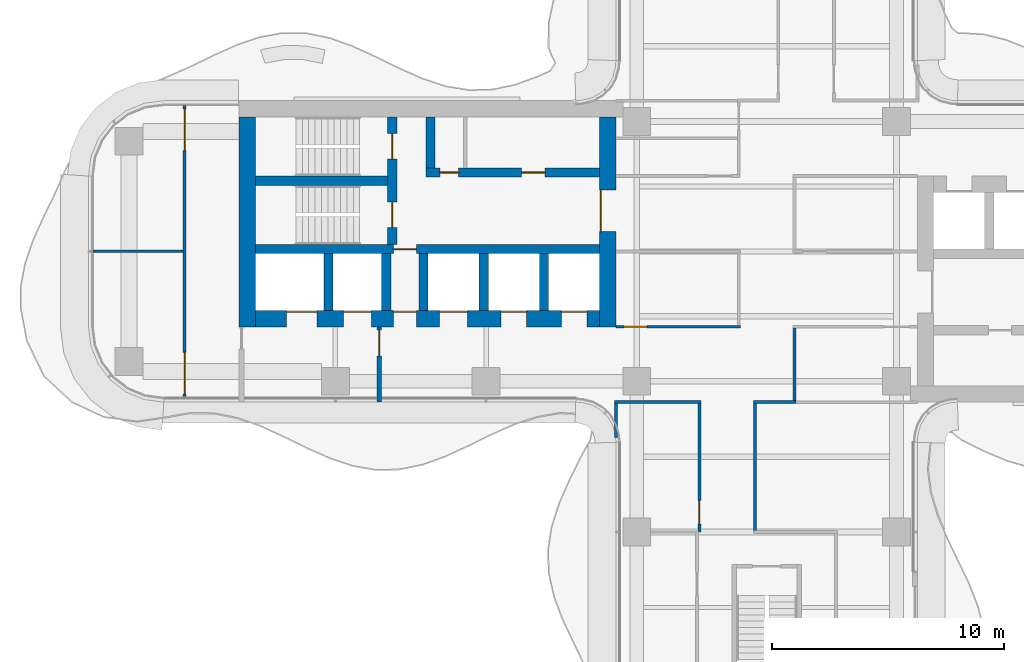
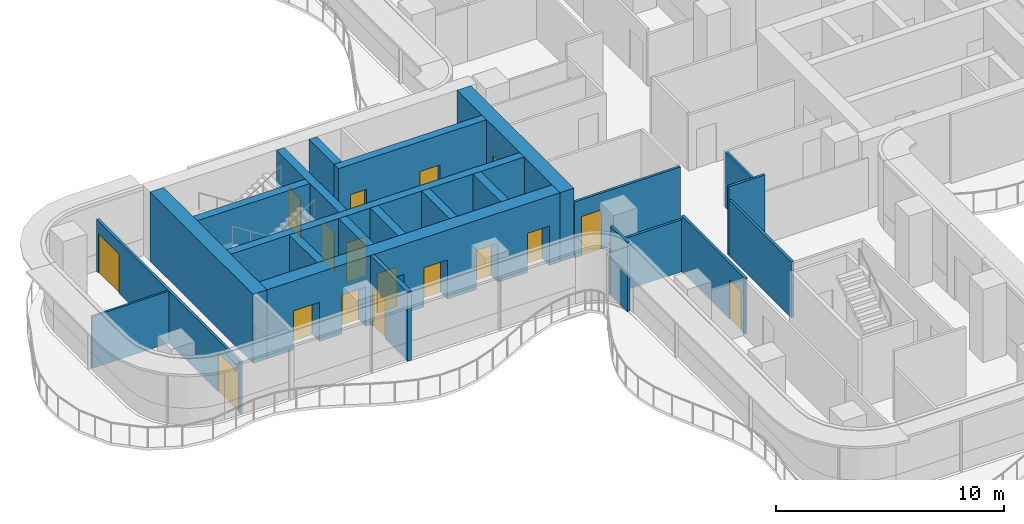
# One storey, part 12 of 17: 23 walls, 17 doors, 17 openings.
"""IFC4 building model written with IfcOpenShell, lengths in metres."""

from ifc_helpers import new_model, si_unit, direction, frame, frame_2d, origin, place, context, subcontext, project, spatial, rectangle, extrude, source, transform, mapped, material, layer, layer_set, type_object, element, fill, save


model = new_model("IFC4")

# Units and contexts
model_context = context("Model", 3, precision=1e-05, world=origin(), true_north=direction((0.0, 1.0)))
body_context = subcontext(model_context, "Body", "Model", "MODEL_VIEW")
ifc_project = project(units=[si_unit("LENGTHUNIT", "METRE"), si_unit("AREAUNIT", "SQUARE_METRE"), si_unit("VOLUMEUNIT", "CUBIC_METRE"), si_unit("PLANEANGLEUNIT", "RADIAN"), si_unit("MASSUNIT", "GRAM", prefix="KILO")], contexts=[model_context])

# Site, building, storey
site_placement = place(None, origin())
site = spatial("IfcSite", under=ifc_project, at=site_placement, CompositionType="ELEMENT")
building_placement = place(site_placement, origin())
building = spatial("IfcBuilding", under=site, at=building_placement, Name="Trellis Farm Tower", CompositionType="ELEMENT")
storey_placement = place(building_placement, frame((0.0, 0.0, 165.89990234375)))
storey = spatial("IfcBuildingStorey", under=building, at=storey_placement, Name="L35", CompositionType="ELEMENT", Elevation=165.89990234375)

# Wall, opening, door
ifc_material_1 = material(Name="Concrete C70/85", Category="concrete")
ifc_layer_1 = layer(ifc_material_1, 0.699951171875)
ifc_layer_set_1 = layer_set([ifc_layer_1], Name="CORE OUTER WALL 700 CONCRETE C70/85")
wall_type_1 = type_object("IfcWallType", Name="CORE OUTER WALL 700 CONCRETE C70/85", PredefinedType="SHEAR", material=ifc_layer_set_1)
shared_shape_1 = source(origin(), body_context, "Body", "SweptSolid", [
    extrude(rectangle(XDim=9.050048828125, YDim=0.699951171875, at=frame_2d((4.52490234375, 0.0))), origin(), (0.0, 0.0, 1.0), 3.7001953125),
])
wall_1_placement = place(storey_placement, frame((-6.85009765625, 5.800048828125, 0.0), z_axis=(0.0, 0.0, 1.0), x_axis=(0.0, -1.0, 0.0)))
wall_1 = element("IfcWall", 1, at=wall_1_placement, inside=storey, type_object=wall_type_1, Name="Core wall", PredefinedType="SHEAR", context=body_context, shape_type="MappedRepresentation", body=[
    mapped(shared_shape_1, transform((0.0, 0.0, 0.0))),
])
shared_shape_2 = source(origin(), body_context, "Body", "SweptSolid", [
    extrude(rectangle(XDim=1.800048828125, YDim=2.10009765625, at=frame_2d((0.89990234375, 1.050048828125))), frame((0.0, 0.360107421875, 0.0), z_axis=(0.0, -1.0, 0.0), x_axis=(1.0, 0.0, 0.0)), (0.0, 0.0, 1.0), 0.72021484375),
])
opening_1_placement = place(wall_1_placement, frame((3.14990234375, 0.0, 0.0)))
opening_1 = element("IfcOpeningElement", 2, at=opening_1_placement, cuts=wall_1, Name="Opening DC87", PredefinedType="OPENING", context=body_context, shape_type="MappedRepresentation", body=[
    mapped(shared_shape_2, transform((0.0, 0.0, 0.0))),
])
ifc_material_2 = material(Name="Steel", Category="steel")
door_type_1 = type_object("IfcDoorType", Name="CORE FIRE DOOR DOUBLE 1800 X 2100", OperationType="DOUBLE_DOOR_SINGLE_SWING", PredefinedType="DOOR", material=ifc_material_2)
shared_shape_3 = source(origin(), body_context, "Body", "SweptSolid", [
    extrude(rectangle(XDim=1.800048828125, YDim=2.10009765625, at=frame_2d((0.89990234375, 1.050048828125))), frame((0.0, -0.27490234375, 0.0), z_axis=(0.0, -1.0, 0.0), x_axis=(1.0, 0.0, 0.0)), (0.0, 0.0, 1.0), 0.050048828125),
])
door_1_placement = place(opening_1_placement, origin())
door_1 = element("IfcDoor", 3, at=door_1_placement, inside=storey, type_object=door_type_1, Name="Core door", OperationType="DOUBLE_DOOR_SINGLE_SWING", OverallHeight=2.10009765625, OverallWidth=1.800048828125, PredefinedType="DOOR", context=body_context, shape_type="MappedRepresentation", body=[
    mapped(shared_shape_3, transform((0.0, 0.0, 0.0))),
])
fill(opening_1, door_1)

# Walls
wall_2_placement = place(storey_placement, frame((-22.39990234375, 5.800048828125, 0.0), z_axis=(0.0, 0.0, 1.0), x_axis=(0.0, -1.0, 0.0)))
element("IfcWall", 4, at=wall_2_placement, inside=storey, type_object=wall_type_1, Name="Core wall", PredefinedType="SHEAR", context=body_context, shape_type="MappedRepresentation", body=[
    mapped(shared_shape_1, transform((0.0, 0.0, 0.0))),
])
ifc_layer_2 = layer(ifc_material_1, 0.39990234375)
ifc_layer_set_2 = layer_set([ifc_layer_2], Name="CORE INNER WALL 400 CONCRETE C70/85")
wall_type_2 = type_object("IfcWallType", Name="CORE INNER WALL 400 CONCRETE C70/85", PredefinedType="SHEAR", material=ifc_layer_set_2)
shared_shape_4 = source(origin(), body_context, "Body", "SweptSolid", [
    extrude(rectangle(XDim=2.449951171875, YDim=0.39990234375, at=frame_2d((1.22509765625, 0.0))), origin(), (0.0, 0.0, 1.0), 3.7001953125),
])
for number, where, z_axis, x_axis, name in (
    (5, (-9.60009765625, -0.10009765625, 0.0), (0.0, 0.0, 1.0), (0.0, -1.0, 0.0), "Core wall"),
    (6, (-12.199951171875, -0.10009765625, 0.0), (0.0, 0.0, 1.0), (0.0, -1.0, 0.0), "Core wall"),
    (7, (-14.800048828125, -0.10009765625, 0.0), (0.0, 0.0, 1.0), (0.0, -1.0, 0.0), "Core wall"),
    (8, (-16.39990234375, -0.10009765625, 0.0), (0.0, 0.0, 1.0), (0.0, -1.0, 0.0), "Core wall"),
    (9, (-18.89990234375, -0.10009765625, 0.0), (0.0, 0.0, 1.0), (0.0, -1.0, 0.0), "Core wall"),
):
    element("IfcWall", number, at=place(storey_placement, frame(where, z_axis=z_axis, x_axis=x_axis)), inside=storey, type_object=wall_type_2, Name=name, PredefinedType="SHEAR", context=body_context, shape_type="MappedRepresentation", body=[
        mapped(shared_shape_4, transform((0.0, 0.0, 0.0))),
    ])

# Wall, opening, door
ifc_material_3 = material(Name="Masonry blockwork", Category="masonry")
ifc_layer_3 = layer(ifc_material_3, 0.199951171875)
ifc_layer_set_3 = layer_set([ifc_layer_3], Name="FIRE LOBBY PARTITION 200 BLOCKWORK")
wall_type_3 = type_object("IfcWallType", Name="FIRE LOBBY PARTITION 200 BLOCKWORK", PredefinedType="PARTITIONING", material=ifc_layer_set_3)
shared_shape_5 = source(origin(), body_context, "Body", "SweptSolid", [
    extrude(rectangle(XDim=3.25, YDim=0.199951171875, at=frame_2d((1.625, 0.0))), origin(), (0.0, 0.0, 1.0), 3.7001953125),
])
wall_3_placement = place(storey_placement, frame((-16.699951171875, -3.25, 0.0), z_axis=(0.0, 0.0, 1.0), x_axis=(0.0, -1.0, 0.0)))
wall_3 = element("IfcWall", 10, at=wall_3_placement, inside=storey, type_object=wall_type_3, Name="Fire-fighting lobby partition", PredefinedType="PARTITIONING", context=body_context, shape_type="MappedRepresentation", body=[
    mapped(shared_shape_5, transform((0.0, 0.0, 0.0))),
])
shared_shape_6 = source(origin(), body_context, "Body", "SweptSolid", [
    extrude(rectangle(XDim=1.10009765625, YDim=2.10009765625, at=frame_2d((0.550048828125, 1.050048828125))), frame((0.0, 0.110107421875, 0.0), z_axis=(0.0, -1.0, 0.0), x_axis=(1.0, 0.0, 0.0)), (0.0, 0.0, 1.0), 0.22021484375),
])
opening_2_placement = place(wall_3_placement, frame((0.14990234375, 0.0, 0.0)))
opening_2 = element("IfcOpeningElement", 11, at=opening_2_placement, cuts=wall_3, Name="Opening DC93", PredefinedType="OPENING", context=body_context, shape_type="MappedRepresentation", body=[
    mapped(shared_shape_6, transform((0.0, 0.0, 0.0))),
])
door_type_2 = type_object("IfcDoorType", Name="CORE FIRE DOOR 1100 X 2100", OperationType="NOTDEFINED", PredefinedType="DOOR", material=ifc_material_2)
shared_shape_7 = source(origin(), body_context, "Body", "SweptSolid", [
    extrude(rectangle(XDim=1.10009765625, YDim=2.10009765625, at=frame_2d((0.550048828125, 1.050048828125))), frame((0.0, 0.02490234375, 0.0), z_axis=(0.0, -1.0, 0.0), x_axis=(1.0, 0.0, 0.0)), (0.0, 0.0, 1.0), 0.050048828125),
])
door_2_placement = place(opening_2_placement, origin())
door_2 = element("IfcDoor", 12, at=door_2_placement, inside=storey, type_object=door_type_2, Name="Core door", OperationType="SINGLE_SWING_RIGHT", OverallHeight=2.10009765625, OverallWidth=1.10009765625, PredefinedType="DOOR", context=body_context, shape_type="MappedRepresentation", body=[
    mapped(shared_shape_7, transform((0.0, 0.0, 0.0))),
])
fill(opening_2, door_2)

# Wall, openings, doors
shared_shape_8 = source(origin(), body_context, "Body", "SweptSolid", [
    extrude(rectangle(XDim=14.85009765625, YDim=0.699951171875, at=frame_2d((7.425048828125, 0.0))), origin(), (0.0, 0.0, 1.0), 3.7001953125),
])
wall_4_placement = place(storey_placement, frame((-7.199951171875, -2.89990234375, 0.0), z_axis=(0.0, 0.0, 1.0), x_axis=(-1.0, 0.0, 0.0)))
wall_4 = element("IfcWall", 13, at=wall_4_placement, inside=storey, type_object=wall_type_1, Name="Core wall", PredefinedType="SHEAR", context=body_context, shape_type="MappedRepresentation", body=[
    mapped(shared_shape_8, transform((0.0, 0.0, 0.0))),
])
shared_shape_9 = source(origin(), body_context, "Body", "SweptSolid", [
    extrude(rectangle(XDim=1.10009765625, YDim=2.10009765625, at=frame_2d((0.550048828125, 1.050048828125))), frame((0.0, 0.360107421875, 0.0), z_axis=(0.0, -1.0, 0.0), x_axis=(1.0, 0.0, 0.0)), (0.0, 0.0, 1.0), 0.72021484375),
])
opening_3_placement = place(wall_4_placement, frame((0.550048828125, 0.0, 0.0)))
opening_3 = element("IfcOpeningElement", 14, at=opening_3_placement, cuts=wall_4, Name="Opening LD12", PredefinedType="OPENING", context=body_context, shape_type="MappedRepresentation", body=[
    mapped(shared_shape_9, transform((0.0, 0.0, 0.0))),
])
opening_4_placement = place(wall_4_placement, frame((3.14990234375, 0.0, 0.0)))
opening_4 = element("IfcOpeningElement", 15, at=opening_4_placement, cuts=wall_4, Name="Opening LD13", PredefinedType="OPENING", context=body_context, shape_type="MappedRepresentation", body=[
    mapped(shared_shape_9, transform((0.0, 0.0, 0.0))),
])
shared_shape_10 = source(origin(), body_context, "Body", "SweptSolid", [
    extrude(rectangle(XDim=1.199951171875, YDim=2.10009765625, at=frame_2d((0.60009765625, 1.050048828125))), frame((0.0, 0.360107421875, 0.0), z_axis=(0.0, -1.0, 0.0), x_axis=(1.0, 0.0, 0.0)), (0.0, 0.0, 1.0), 0.72021484375),
])
opening_5_placement = place(wall_4_placement, frame((5.699951171875, 0.0, 0.0)))
opening_5 = element("IfcOpeningElement", 16, at=opening_5_placement, cuts=wall_4, Name="Opening LD14", PredefinedType="OPENING", context=body_context, shape_type="MappedRepresentation", body=[
    mapped(shared_shape_10, transform((0.0, 0.0, 0.0))),
])
shared_shape_11 = source(origin(), body_context, "Body", "SweptSolid", [
    extrude(rectangle(XDim=1.300048828125, YDim=2.10009765625, at=frame_2d((0.64990234375, 1.050048828125))), frame((0.0, 0.360107421875, 0.0), z_axis=(0.0, -1.0, 0.0), x_axis=(1.0, 0.0, 0.0)), (0.0, 0.0, 1.0), 0.72021484375),
])
opening_6_placement = place(wall_4_placement, frame((12.199951171875, 0.0, 0.0)))
opening_6 = element("IfcOpeningElement", 17, at=opening_6_placement, cuts=wall_4, Name="Opening LD15", PredefinedType="OPENING", context=body_context, shape_type="MappedRepresentation", body=[
    mapped(shared_shape_11, transform((0.0, 0.0, 0.0))),
])
opening_7_placement = place(wall_4_placement, frame((9.85009765625, 0.0, 0.0)))
opening_7 = element("IfcOpeningElement", 18, at=opening_7_placement, cuts=wall_4, Name="Opening LD16", PredefinedType="OPENING", context=body_context, shape_type="MappedRepresentation", body=[
    mapped(shared_shape_10, transform((0.0, 0.0, 0.0))),
])
shared_shape_12 = source(origin(), body_context, "Body", "SweptSolid", [
    extrude(rectangle(XDim=1.0, YDim=2.10009765625, at=frame_2d((0.5, 1.050048828125))), frame((0.0, 0.360107421875, 0.0), z_axis=(0.0, -1.0, 0.0), x_axis=(1.0, 0.0, 0.0)), (0.0, 0.0, 1.0), 0.72021484375),
])
opening_8_placement = place(wall_4_placement, frame((7.89990234375, 0.0, 0.0)))
opening_8 = element("IfcOpeningElement", 19, at=opening_8_placement, cuts=wall_4, Name="Opening DC92", PredefinedType="OPENING", context=body_context, shape_type="MappedRepresentation", body=[
    mapped(shared_shape_12, transform((0.0, 0.0, 0.0))),
])
door_type_3 = type_object("IfcDoorType", Name="CORE FIRE DOOR 1000 X 2100", OperationType="NOTDEFINED", PredefinedType="DOOR", material=ifc_material_2)
shared_shape_13 = source(origin(), body_context, "Body", "SweptSolid", [
    extrude(rectangle(XDim=1.0, YDim=2.10009765625, at=frame_2d((0.5, 1.050048828125))), frame((0.0, -0.27490234375, 0.0), z_axis=(0.0, -1.0, 0.0), x_axis=(1.0, 0.0, 0.0)), (0.0, 0.0, 1.0), 0.050048828125),
])
door_3_placement = place(opening_8_placement, origin())
door_3 = element("IfcDoor", 20, at=door_3_placement, inside=storey, type_object=door_type_3, Name="Core door", OperationType="SINGLE_SWING_LEFT", OverallHeight=2.10009765625, OverallWidth=1.0, PredefinedType="DOOR", context=body_context, shape_type="MappedRepresentation", body=[
    mapped(shared_shape_13, transform((0.0, 0.0, 0.0))),
])
fill(opening_8, door_3)
ifc_material_4 = material(Name="Stainless steel", Category="steel")
door_type_4 = type_object("IfcDoorType", Name="LIFT LANDING DOOR 1300 X 2100", OperationType="DOUBLE_DOOR_SLIDING", PredefinedType="DOOR", material=ifc_material_4)
shared_shape_14 = source(origin(), body_context, "Body", "SweptSolid", [
    extrude(rectangle(XDim=1.300048828125, YDim=2.10009765625, at=frame_2d((0.64990234375, 1.050048828125))), frame((0.0, -0.27490234375, 0.0), z_axis=(0.0, -1.0, 0.0), x_axis=(1.0, 0.0, 0.0)), (0.0, 0.0, 1.0), 0.050048828125),
])
door_4_placement = place(opening_6_placement, origin())
door_4 = element("IfcDoor", 21, at=door_4_placement, inside=storey, type_object=door_type_4, Name="Lift landing door", OperationType="DOUBLE_DOOR_SLIDING", OverallHeight=2.10009765625, OverallWidth=1.300048828125, PredefinedType="DOOR", context=body_context, shape_type="MappedRepresentation", body=[
    mapped(shared_shape_14, transform((0.0, 0.0, 0.0))),
])
fill(opening_6, door_4)
door_type_5 = type_object("IfcDoorType", Name="LIFT LANDING DOOR 1200 X 2100", OperationType="DOUBLE_DOOR_SLIDING", PredefinedType="DOOR", material=ifc_material_4)
shared_shape_15 = source(origin(), body_context, "Body", "SweptSolid", [
    extrude(rectangle(XDim=1.199951171875, YDim=2.10009765625, at=frame_2d((0.60009765625, 1.050048828125))), frame((0.0, -0.27490234375, 0.0), z_axis=(0.0, -1.0, 0.0), x_axis=(1.0, 0.0, 0.0)), (0.0, 0.0, 1.0), 0.050048828125),
])
door_5_placement = place(opening_5_placement, origin())
door_5 = element("IfcDoor", 22, at=door_5_placement, inside=storey, type_object=door_type_5, Name="Lift landing door", OperationType="DOUBLE_DOOR_SLIDING", OverallHeight=2.10009765625, OverallWidth=1.199951171875, PredefinedType="DOOR", context=body_context, shape_type="MappedRepresentation", body=[
    mapped(shared_shape_15, transform((0.0, 0.0, 0.0))),
])
fill(opening_5, door_5)
door_6_placement = place(opening_7_placement, origin())
door_6 = element("IfcDoor", 23, at=door_6_placement, inside=storey, type_object=door_type_5, Name="Lift landing door", OperationType="DOUBLE_DOOR_SLIDING", OverallHeight=2.10009765625, OverallWidth=1.199951171875, PredefinedType="DOOR", context=body_context, shape_type="MappedRepresentation", body=[
    mapped(shared_shape_15, transform((0.0, 0.0, 0.0))),
])
fill(opening_7, door_6)
door_type_6 = type_object("IfcDoorType", Name="LIFT LANDING DOOR 1100 X 2100", OperationType="DOUBLE_DOOR_SLIDING", PredefinedType="DOOR", material=ifc_material_4)
shared_shape_16 = source(origin(), body_context, "Body", "SweptSolid", [
    extrude(rectangle(XDim=1.10009765625, YDim=2.10009765625, at=frame_2d((0.550048828125, 1.050048828125))), frame((0.0, -0.27490234375, 0.0), z_axis=(0.0, -1.0, 0.0), x_axis=(1.0, 0.0, 0.0)), (0.0, 0.0, 1.0), 0.050048828125),
])
door_7_placement = place(opening_3_placement, origin())
door_7 = element("IfcDoor", 24, at=door_7_placement, inside=storey, type_object=door_type_6, Name="Lift landing door", OperationType="DOUBLE_DOOR_SLIDING", OverallHeight=2.10009765625, OverallWidth=1.10009765625, PredefinedType="DOOR", context=body_context, shape_type="MappedRepresentation", body=[
    mapped(shared_shape_16, transform((0.0, 0.0, 0.0))),
])
fill(opening_3, door_7)
door_8_placement = place(opening_4_placement, origin())
door_8 = element("IfcDoor", 25, at=door_8_placement, inside=storey, type_object=door_type_6, Name="Lift landing door", OperationType="DOUBLE_DOOR_SLIDING", OverallHeight=2.10009765625, OverallWidth=1.10009765625, PredefinedType="DOOR", context=body_context, shape_type="MappedRepresentation", body=[
    mapped(shared_shape_16, transform((0.0, 0.0, 0.0))),
])
fill(opening_4, door_8)

shared_shape_17 = source(origin(), body_context, "Body", "SweptSolid", [
    extrude(rectangle(XDim=7.5, YDim=0.39990234375, at=frame_2d((3.75, 0.0))), origin(), (0.0, 0.0, 1.0), 3.7001953125),
])
wall_5_placement = place(storey_placement, frame((-7.199951171875, 3.39990234375, 0.0), z_axis=(0.0, 0.0, 1.0), x_axis=(-1.0, 0.0, 0.0)))
wall_5 = element("IfcWall", 26, at=wall_5_placement, inside=storey, type_object=wall_type_2, Name="Core wall", PredefinedType="SHEAR", context=body_context, shape_type="MappedRepresentation", body=[
    mapped(shared_shape_17, transform((0.0, 0.0, 0.0))),
])
shared_shape_18 = source(origin(), body_context, "Body", "SweptSolid", [
    extrude(rectangle(XDim=1.0, YDim=2.10009765625, at=frame_2d((0.5, 1.050048828125))), frame((0.0, 0.2099609375, 0.0), z_axis=(0.0, -1.0, 0.0), x_axis=(1.0, 0.0, 0.0)), (0.0, 0.0, 1.0), 0.419921875),
])
opening_9_placement = place(wall_5_placement, frame((2.362548828125, 0.0, 0.0)))
opening_9 = element("IfcOpeningElement", 27, at=opening_9_placement, cuts=wall_5, Name="Opening DC141", PredefinedType="OPENING", context=body_context, shape_type="MappedRepresentation", body=[
    mapped(shared_shape_18, transform((0.0, 0.0, 0.0))),
])
shared_shape_19 = source(origin(), body_context, "Body", "SweptSolid", [
    extrude(rectangle(XDim=0.800048828125, YDim=2.10009765625, at=frame_2d((0.39990234375, 1.050048828125))), frame((0.0, 0.2099609375, 0.0), z_axis=(0.0, -1.0, 0.0), x_axis=(1.0, 0.0, 0.0)), (0.0, 0.0, 1.0), 0.419921875),
])
opening_10_placement = place(wall_5_placement, frame((6.08740234375, 0.0, 0.0)))
opening_10 = element("IfcOpeningElement", 28, at=opening_10_placement, cuts=wall_5, Name="Opening DC144", PredefinedType="OPENING", context=body_context, shape_type="MappedRepresentation", body=[
    mapped(shared_shape_19, transform((0.0, 0.0, 0.0))),
])
shared_shape_20 = source(origin(), body_context, "Body", "SweptSolid", [
    extrude(rectangle(XDim=1.0, YDim=2.10009765625, at=frame_2d((0.5, 1.050048828125))), frame((0.0, 0.02490234375, 0.0), z_axis=(0.0, -1.0, 0.0), x_axis=(1.0, 0.0, 0.0)), (0.0, 0.0, 1.0), 0.050048828125),
])
door_9_placement = place(opening_9_placement, origin())
door_9 = element("IfcDoor", 29, at=door_9_placement, inside=storey, type_object=door_type_3, Name="Core door", OperationType="SINGLE_SWING_LEFT", OverallHeight=2.10009765625, OverallWidth=1.0, PredefinedType="DOOR", context=body_context, shape_type="MappedRepresentation", body=[
    mapped(shared_shape_20, transform((0.0, 0.0, 0.0))),
])
fill(opening_9, door_9)
door_type_7 = type_object("IfcDoorType", Name="CORE FIRE DOOR 800 X 2100", OperationType="NOTDEFINED", PredefinedType="DOOR", material=ifc_material_2)
shared_shape_21 = source(origin(), body_context, "Body", "SweptSolid", [
    extrude(rectangle(XDim=0.800048828125, YDim=2.10009765625, at=frame_2d((0.39990234375, 1.050048828125))), frame((0.0, 0.02490234375, 0.0), z_axis=(0.0, -1.0, 0.0), x_axis=(1.0, 0.0, 0.0)), (0.0, 0.0, 1.0), 0.050048828125),
])
door_10_placement = place(opening_10_placement, origin())
door_10 = element("IfcDoor", 30, at=door_10_placement, inside=storey, type_object=door_type_7, Name="Core door", OperationType="SINGLE_SWING_RIGHT", OverallHeight=2.10009765625, OverallWidth=0.800048828125, PredefinedType="DOOR", context=body_context, shape_type="MappedRepresentation", body=[
    mapped(shared_shape_21, transform((0.0, 0.0, 0.0))),
])
fill(opening_10, door_10)

# Wall, opening, door
shared_shape_22 = source(origin(), body_context, "Body", "SweptSolid", [
    extrude(rectangle(XDim=14.85009765625, YDim=0.39990234375, at=frame_2d((7.425048828125, 0.0))), origin(), (0.0, 0.0, 1.0), 3.7001953125),
])
wall_6_placement = place(storey_placement, frame((-7.199951171875, 0.10009765625, 0.0), z_axis=(0.0, 0.0, 1.0), x_axis=(-1.0, 0.0, 0.0)))
wall_6 = element("IfcWall", 31, at=wall_6_placement, inside=storey, type_object=wall_type_2, Name="Core wall", PredefinedType="SHEAR", context=body_context, shape_type="MappedRepresentation", body=[
    mapped(shared_shape_22, transform((0.0, 0.0, 0.0))),
])
opening_11_placement = place(wall_6_placement, frame((7.89990234375, 0.0, 0.0)))
opening_11 = element("IfcOpeningElement", 32, at=opening_11_placement, cuts=wall_6, Name="Opening DC91", PredefinedType="OPENING", context=body_context, shape_type="MappedRepresentation", body=[
    mapped(shared_shape_18, transform((0.0, 0.0, 0.0))),
])
door_11_placement = place(opening_11_placement, origin())
door_11 = element("IfcDoor", 33, at=door_11_placement, inside=storey, type_object=door_type_3, Name="Core door", OperationType="SINGLE_SWING_RIGHT", OverallHeight=2.10009765625, OverallWidth=1.0, PredefinedType="DOOR", context=body_context, shape_type="MappedRepresentation", body=[
    mapped(shared_shape_20, transform((0.0, 0.0, 0.0))),
])
fill(opening_11, door_11)

# Wall, openings, doors
shared_shape_23 = source(origin(), body_context, "Body", "SweptSolid", [
    extrude(rectangle(XDim=5.5, YDim=0.39990234375, at=frame_2d((2.75, 0.0))), origin(), (0.0, 0.0, 1.0), 3.7001953125),
])
wall_7_placement = place(storey_placement, frame((-16.14990234375, 5.800048828125, 0.0), z_axis=(0.0, 0.0, 1.0), x_axis=(0.0, -1.0, 0.0)))
wall_7 = element("IfcWall", 34, at=wall_7_placement, inside=storey, type_object=wall_type_2, Name="Core wall", PredefinedType="SHEAR", context=body_context, shape_type="MappedRepresentation", body=[
    mapped(shared_shape_23, transform((0.0, 0.0, 0.0))),
])
shared_shape_24 = source(origin(), body_context, "Body", "SweptSolid", [
    extrude(rectangle(XDim=1.10009765625, YDim=2.10009765625, at=frame_2d((0.550048828125, 1.050048828125))), frame((0.0, 0.2099609375, 0.0), z_axis=(0.0, -1.0, 0.0), x_axis=(1.0, 0.0, 0.0)), (0.0, 0.0, 1.0), 0.419921875),
])
opening_12_placement = place(wall_7_placement, frame((0.72509765625, 0.0, 0.0)))
opening_12 = element("IfcOpeningElement", 35, at=opening_12_placement, cuts=wall_7, Name="Opening DC88", PredefinedType="OPENING", context=body_context, shape_type="MappedRepresentation", body=[
    mapped(shared_shape_24, transform((0.0, 0.0, 0.0))),
])
opening_13_placement = place(wall_7_placement, frame((3.675048828125, 0.0, 0.0)))
opening_13 = element("IfcOpeningElement", 36, at=opening_13_placement, cuts=wall_7, Name="Opening DC89", PredefinedType="OPENING", context=body_context, shape_type="MappedRepresentation", body=[
    mapped(shared_shape_24, transform((0.0, 0.0, 0.0))),
])
door_12_placement = place(opening_12_placement, origin())
door_12 = element("IfcDoor", 37, at=door_12_placement, inside=storey, type_object=door_type_2, Name="Core door", OperationType="SINGLE_SWING_RIGHT", OverallHeight=2.10009765625, OverallWidth=1.10009765625, PredefinedType="DOOR", context=body_context, shape_type="MappedRepresentation", body=[
    mapped(shared_shape_7, transform((0.0, 0.0, 0.0))),
])
fill(opening_12, door_12)
door_13_placement = place(opening_13_placement, origin())
door_13 = element("IfcDoor", 38, at=door_13_placement, inside=storey, type_object=door_type_2, Name="Core door", OperationType="SINGLE_SWING_LEFT", OverallHeight=2.10009765625, OverallWidth=1.10009765625, PredefinedType="DOOR", context=body_context, shape_type="MappedRepresentation", body=[
    mapped(shared_shape_7, transform((0.0, 0.0, 0.0))),
])
fill(opening_13, door_13)

# Walls
shared_shape_25 = source(origin(), body_context, "Body", "SweptSolid", [
    extrude(rectangle(XDim=5.699951171875, YDim=0.39990234375, at=frame_2d((2.85009765625, 0.0))), origin(), (0.0, 0.0, 1.0), 3.7001953125),
])
wall_8_placement = place(storey_placement, frame((-16.35009765625, 3.050048828125, 0.0), z_axis=(0.0, 0.0, 1.0), x_axis=(-1.0, 0.0, 0.0)))
element("IfcWall", 39, at=wall_8_placement, inside=storey, type_object=wall_type_2, Name="Core wall", PredefinedType="SHEAR", context=body_context, shape_type="MappedRepresentation", body=[
    mapped(shared_shape_25, transform((0.0, 0.0, 0.0))),
])
shared_shape_26 = source(origin(), body_context, "Body", "SweptSolid", [
    extrude(rectangle(XDim=2.199951171875, YDim=0.39990234375, at=frame_2d((1.10009765625, 0.0))), origin(), (0.0, 0.0, 1.0), 3.7001953125),
])
wall_9_placement = place(storey_placement, frame((-14.5, 5.800048828125, 0.0), z_axis=(0.0, 0.0, 1.0), x_axis=(0.0, -1.0, 0.0)))
element("IfcWall", 40, at=wall_9_placement, inside=storey, type_object=wall_type_2, Name="Core wall", PredefinedType="SHEAR", context=body_context, shape_type="MappedRepresentation", body=[
    mapped(shared_shape_26, transform((0.0, 0.0, 0.0))),
])
ifc_material_5 = material(Name="Plasterboard on steel studs, mineral wool", Category="steel")
ifc_layer_4 = layer(ifc_material_5, 0.125)
ifc_layer_set_4 = layer_set([ifc_layer_4], Name="PARTITION 125 STUD EI 60")
wall_type_4 = type_object("IfcWallType", Name="PARTITION 125 STUD EI 60", PredefinedType="PARTITIONING", material=ifc_layer_set_4)
shared_shape_27 = source(origin(), body_context, "Body", "SweptSolid", [
    extrude(rectangle(XDim=5.47509765625, YDim=0.125, at=frame_2d((2.737548828125, 0.0))), origin(), (0.0, 0.0, 1.0), 2.99658203125),
])
wall_10_placement = place(storey_placement, frame((-0.5, -6.5625, 0.0), z_axis=(0.0, 0.0, 1.0), x_axis=(0.0, -1.0, 0.0)))
element("IfcWall", 41, at=wall_10_placement, inside=storey, type_object=wall_type_4, Name="Partition PW1", PredefinedType="PARTITIONING", context=body_context, shape_type="MappedRepresentation", body=[
    mapped(shared_shape_27, transform((0.0, 0.0, 0.0))),
])
shared_shape_28 = source(origin(), body_context, "Body", "SweptSolid", [
    extrude(rectangle(XDim=3.137451171875, YDim=0.125, at=frame_2d((1.56884765625, 0.0))), origin(), (0.0, 0.0, 1.0), 2.99658203125),
])
wall_11_placement = place(storey_placement, frame((1.199951171875, -3.3125, 0.0), z_axis=(0.0, 0.0, 1.0), x_axis=(0.0, -1.0, 0.0)))
element("IfcWall", 42, at=wall_11_placement, inside=storey, type_object=wall_type_4, Name="Partition PW1", PredefinedType="PARTITIONING", context=body_context, shape_type="MappedRepresentation", body=[
    mapped(shared_shape_28, transform((0.0, 0.0, 0.0))),
])

# Wall, opening, door
shared_shape_29 = source(origin(), body_context, "Body", "SweptSolid", [
    extrude(rectangle(XDim=5.53759765625, YDim=0.125, at=frame_2d((2.768798828125, 0.0))), origin(), (0.0, 0.0, 1.0), 2.99658203125),
])
wall_12_placement = place(storey_placement, frame((-2.89990234375, -12.10009765625, 0.0), z_axis=(0.0, 0.0, 1.0), x_axis=(0.0, 1.0, 0.0)))
wall_12 = element("IfcWall", 43, at=wall_12_placement, inside=storey, type_object=wall_type_4, Name="Partition PW1", PredefinedType="PARTITIONING", context=body_context, shape_type="MappedRepresentation", body=[
    mapped(shared_shape_29, transform((0.0, 0.0, 0.0))),
])
shared_shape_30 = source(origin(), body_context, "Body", "SweptSolid", [
    extrude(rectangle(XDim=1.0, YDim=2.10009765625, at=frame_2d((0.5, 1.050048828125))), frame((0.0, 0.072509765625, 0.0), z_axis=(0.0, -1.0, 0.0), x_axis=(1.0, 0.0, 0.0)), (0.0, 0.0, 1.0), 0.14501953125),
])
opening_14_placement = place(wall_12_placement, frame((0.35009765625, 0.0, 0.0)))
opening_14 = element("IfcOpeningElement", 44, at=opening_14_placement, cuts=wall_12, Name="Opening D103", PredefinedType="OPENING", context=body_context, shape_type="MappedRepresentation", body=[
    mapped(shared_shape_30, transform((0.0, 0.0, 0.0))),
])
ifc_material_6 = material(Name="Fire-rated timber door leaf in a hollow metal frame", Category="wood")
door_type_8 = type_object("IfcDoorType", Name="DOOR 1000x2100 FD30S", OperationType="NOTDEFINED", PredefinedType="DOOR", material=ifc_material_6)
door_14_placement = place(opening_14_placement, origin())
door_14 = element("IfcDoor", 45, at=door_14_placement, inside=storey, type_object=door_type_8, Name="Door D103", OperationType="SINGLE_SWING_LEFT", OverallHeight=2.10009765625, OverallWidth=1.0, PredefinedType="DOOR", context=body_context, shape_type="MappedRepresentation", body=[
    mapped(shared_shape_20, transform((0.0, 0.0, 0.0))),
])
fill(opening_14, door_14)

# Wall, openings, doors
shared_shape_31 = source(origin(), body_context, "Body", "SweptSolid", [
    extrude(rectangle(XDim=12.60009765625, YDim=0.125, at=frame_2d((6.300048828125, 0.0))), origin(), (0.0, 0.0, 1.0), 2.780029296875),
])
wall_13_placement = place(storey_placement, frame((-25.10009765625, -6.300048828125, 0.0), z_axis=(0.0, 0.0, 1.0), x_axis=(0.0, 1.0, 0.0)))
wall_13 = element("IfcWall", 46, at=wall_13_placement, inside=storey, type_object=wall_type_4, Name="Partition PW1", PredefinedType="PARTITIONING", context=body_context, shape_type="MappedRepresentation", body=[
    mapped(shared_shape_31, transform((0.0, 0.0, 0.0))),
])
shared_shape_32 = source(origin(), body_context, "Body", "SweptSolid", [
    extrude(rectangle(XDim=1.800048828125, YDim=2.10009765625, at=frame_2d((0.89990234375, 1.050048828125))), frame((0.0, 0.072509765625, 0.0), z_axis=(0.0, -1.0, 0.0), x_axis=(1.0, 0.0, 0.0)), (0.0, 0.0, 1.0), 0.14501953125),
])
opening_15_placement = place(wall_13_placement, frame((0.14990234375, 0.0, 0.0)))
opening_15 = element("IfcOpeningElement", 47, at=opening_15_placement, cuts=wall_13, Name="Opening D201", PredefinedType="OPENING", context=body_context, shape_type="MappedRepresentation", body=[
    mapped(shared_shape_32, transform((0.0, 0.0, 0.0))),
])
opening_16_placement = place(wall_13_placement, frame((10.64990234375, 0.0, 0.0)))
opening_16 = element("IfcOpeningElement", 48, at=opening_16_placement, cuts=wall_13, Name="Opening D202", PredefinedType="OPENING", context=body_context, shape_type="MappedRepresentation", body=[
    mapped(shared_shape_32, transform((0.0, 0.0, 0.0))),
])
door_type_9 = type_object("IfcDoorType", Name="DOOR PAIR 1800x2100 FD30S", OperationType="NOTDEFINED", PredefinedType="DOOR", material=ifc_material_6)
shared_shape_33 = source(origin(), body_context, "Body", "SweptSolid", [
    extrude(rectangle(XDim=1.800048828125, YDim=2.10009765625, at=frame_2d((0.89990234375, 1.050048828125))), frame((0.0, 0.02490234375, 0.0), z_axis=(0.0, -1.0, 0.0), x_axis=(1.0, 0.0, 0.0)), (0.0, 0.0, 1.0), 0.050048828125),
])
door_15_placement = place(opening_15_placement, origin())
door_15 = element("IfcDoor", 49, at=door_15_placement, inside=storey, type_object=door_type_9, Name="Door D201", OperationType="DOUBLE_DOOR_SINGLE_SWING", OverallHeight=2.10009765625, OverallWidth=1.800048828125, PredefinedType="DOOR", context=body_context, shape_type="MappedRepresentation", body=[
    mapped(shared_shape_33, transform((0.0, 0.0, 0.0))),
])
fill(opening_15, door_15)
door_16_placement = place(opening_16_placement, origin())
door_16 = element("IfcDoor", 50, at=door_16_placement, inside=storey, type_object=door_type_9, Name="Door D202", OperationType="DOUBLE_DOOR_SINGLE_SWING", OverallHeight=2.10009765625, OverallWidth=1.800048828125, PredefinedType="DOOR", context=body_context, shape_type="MappedRepresentation", body=[
    mapped(shared_shape_33, transform((0.0, 0.0, 0.0))),
])
fill(opening_16, door_16)

# Wall, opening, door
shared_shape_34 = source(origin(), body_context, "Body", "SweptSolid", [
    extrude(rectangle(XDim=5.362548828125, YDim=0.125, at=frame_2d((2.68115234375, 0.0))), origin(), (0.0, 0.0, 1.0), 2.99658203125),
])
wall_14_placement = place(storey_placement, frame((-1.137451171875, -3.25, 0.0), z_axis=(0.0, 0.0, 1.0), x_axis=(-1.0, 0.0, 0.0)))
wall_14 = element("IfcWall", 51, at=wall_14_placement, inside=storey, type_object=wall_type_4, Name="Partition PW1", PredefinedType="PARTITIONING", context=body_context, shape_type="MappedRepresentation", body=[
    mapped(shared_shape_34, transform((0.0, 0.0, 0.0))),
])
opening_17_placement = place(wall_14_placement, frame((4.012451171875, 0.0, 0.0)))
opening_17 = element("IfcOpeningElement", 52, at=opening_17_placement, cuts=wall_14, Name="Opening D105", PredefinedType="OPENING", context=body_context, shape_type="MappedRepresentation", body=[
    mapped(shared_shape_30, transform((0.0, 0.0, 0.0))),
])
door_17_placement = place(opening_17_placement, origin())
door_17 = element("IfcDoor", 53, at=door_17_placement, inside=storey, type_object=door_type_8, Name="Door D105", OperationType="SINGLE_SWING_RIGHT", OverallHeight=2.10009765625, OverallWidth=1.0, PredefinedType="DOOR", context=body_context, shape_type="MappedRepresentation", body=[
    mapped(shared_shape_20, transform((0.0, 0.0, 0.0))),
])
fill(opening_17, door_17)

# Walls
shared_shape_35 = source(origin(), body_context, "Body", "SweptSolid", [
    extrude(rectangle(XDim=3.72509765625, YDim=0.125, at=frame_2d((1.862548828125, 0.0))), origin(), (0.0, 0.0, 1.0), 2.780029296875),
])
wall_15_placement = place(storey_placement, frame((-2.83740234375, -6.5, 0.0), z_axis=(0.0, 0.0, 1.0), x_axis=(-1.0, 0.0, 0.0)))
element("IfcWall", 54, at=wall_15_placement, inside=storey, type_object=wall_type_4, Name="Partition PW1", PredefinedType="PARTITIONING", context=body_context, shape_type="MappedRepresentation", body=[
    mapped(shared_shape_35, transform((0.0, 0.0, 0.0))),
])
shared_shape_36 = source(origin(), body_context, "Body", "SweptSolid", [
    extrude(rectangle(XDim=1.468994140625, YDim=0.125, at=frame_2d((0.734375, 0.0))), origin(), (0.0, 0.0, 1.0), 3.7001953125),
])
wall_16_placement = place(storey_placement, frame((-6.5, -6.5625, 0.0), z_axis=(0.0, 0.0, 1.0), x_axis=(0.0, -1.0, 0.0)))
element("IfcWall", 55, at=wall_16_placement, inside=storey, type_object=wall_type_4, Name="Partition PW1", PredefinedType="PARTITIONING", context=body_context, shape_type="MappedRepresentation", body=[
    mapped(shared_shape_36, transform((0.0, 0.0, 0.0))),
])
ifc_material_7 = material(Name="Plasterboard on steel studs", Category="steel")
ifc_layer_5 = layer(ifc_material_7, 0.10009765625)
ifc_layer_set_5 = layer_set([ifc_layer_5], Name="PARTITION 100 STUD EI 30")
wall_type_5 = type_object("IfcWallType", Name="PARTITION 100 STUD EI 30", PredefinedType="PARTITIONING", material=ifc_layer_set_5)
shared_shape_37 = source(origin(), body_context, "Body", "SweptSolid", [
    extrude(rectangle(XDim=3.887451171875, YDim=0.10009765625, at=frame_2d((1.94384765625, 0.0))), origin(), (0.0, 0.0, 1.0), 2.780029296875),
])
wall_17_placement = place(storey_placement, frame((-29.050048828125, 0.0, 0.0), z_axis=(0.0, 0.0, 1.0), x_axis=(1.0, 0.0, 0.0)))
element("IfcWall", 56, at=wall_17_placement, inside=storey, type_object=wall_type_5, Name="Partition PW2", PredefinedType="PARTITIONING", context=body_context, shape_type="MappedRepresentation", body=[
    mapped(shared_shape_37, transform((0.0, 0.0, 0.0))),
])
shared_shape_38 = source(origin(), body_context, "Body", "SweptSolid", [
    extrude(rectangle(XDim=1.824951171875, YDim=0.125, at=frame_2d((0.91259765625, 0.0))), origin(), (0.0, 0.0, 1.0), 3.7001953125),
])
wall_18_placement = place(storey_placement, frame((1.262451171875, -6.5, 0.0), z_axis=(0.0, 0.0, 1.0), x_axis=(-1.0, 0.0, 0.0)))
element("IfcWall", 57, at=wall_18_placement, inside=storey, type_object=wall_type_4, Name="Partition PW1", PredefinedType="PARTITIONING", context=body_context, shape_type="MappedRepresentation", body=[
    mapped(shared_shape_38, transform((0.0, 0.0, 0.0))),
])

save(model, "model.ifc")
